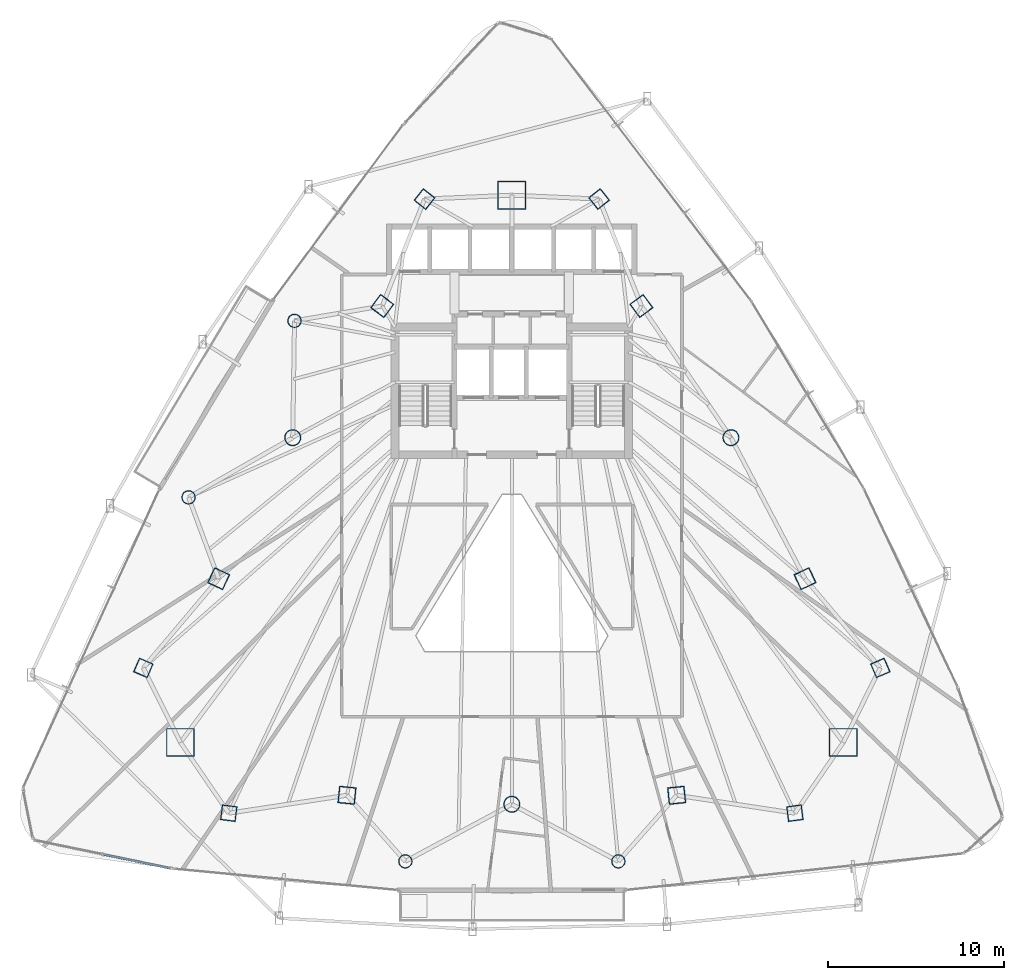
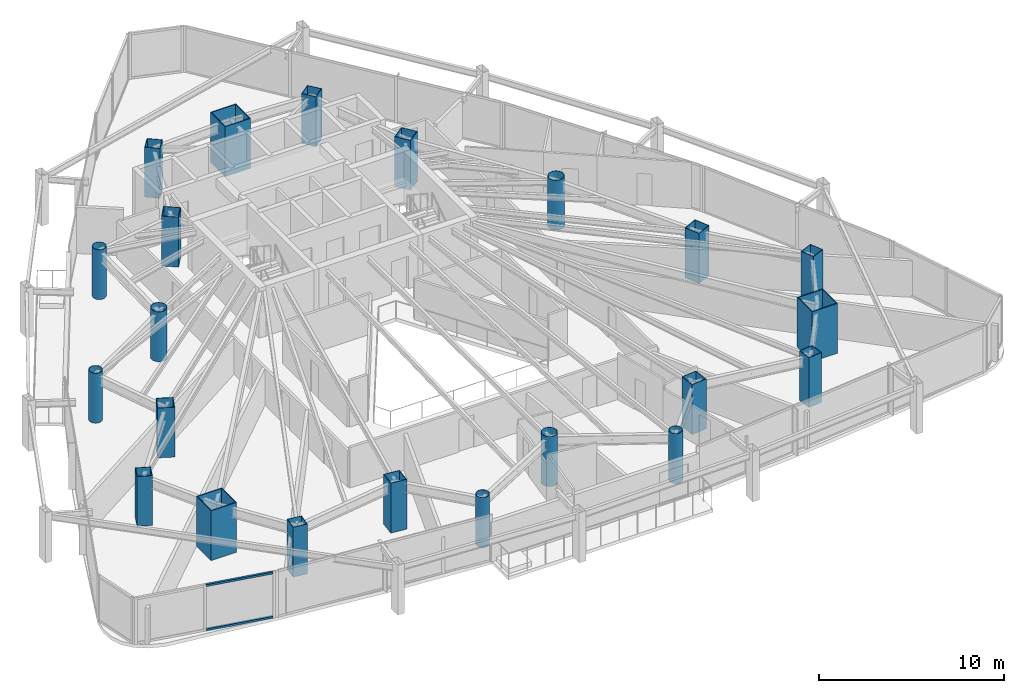
# One storey, part 1 of 34: 22 columns, 2 members, 1 element without a shape of its own.
"""IFC4 building model written with IfcOpenShell, lengths in metres."""

from ifc_helpers import new_model, si_unit, direction, frame, origin, origin_2d, place, context, subcontext, project, spatial, hollow_rectangle, hollow_circle, extrude, material, layer, layer_set, material_profile, profile_set, type_object, element, aggregate, save


model = new_model("IFC4")

# Units and contexts
model_context = context("Model", 3, precision=1e-05, world=origin(), true_north=direction((0.0, 1.0)))
body_context = subcontext(model_context, "Body", "Model", "MODEL_VIEW")
ifc_project = project(units=[si_unit("LENGTHUNIT", "METRE"), si_unit("AREAUNIT", "SQUARE_METRE"), si_unit("VOLUMEUNIT", "CUBIC_METRE"), si_unit("PLANEANGLEUNIT", "RADIAN"), si_unit("MASSUNIT", "GRAM", prefix="KILO")], contexts=[model_context])

# Site, building, storey
site_placement = place(None, origin())
site = spatial("IfcSite", under=ifc_project, at=site_placement, CompositionType="ELEMENT")
building_placement = place(site_placement, origin())
building = spatial("IfcBuilding", under=site, at=building_placement, Name="Orvanel Arch Residences", CompositionType="ELEMENT")
storey_placement = place(building_placement, frame((0.0, 0.0, 67.550048828125)))
storey = spatial("IfcBuildingStorey", under=building, at=storey_placement, Name="L18", CompositionType="ELEMENT", Elevation=67.550048828125)

# Columns
ifc_material_1 = material(Name="Structural steel AS/NZS 1163 C450L0 (Grade 450)", Category="steel")
ifc_material_profile_1 = material_profile(ifc_material_1, hollow_circle(Radius=0.381103515625, WallThickness=0.02197265625, at=origin_2d()), Name="CHS762x22")
ifc_profile_set_1 = profile_set([ifc_material_profile_1], Name="Structural steel AS/NZS 1163 C450L0 (Grade 450)")
column_type_1 = type_object("IfcColumnType", Name="CC-762", PredefinedType="COLUMN", material=ifc_profile_set_1)
for number, where, z_axis, x_axis, name in (
    (1, (20.669921875, 34.27099609375, 0.0), (0.0, 0.0, 1.0), (1.0, 0.0, 0.0), "L18 Low-Rise Buttress Tube Column 01"),
    (2, (14.662109375, 24.256103515625, 0.0), (0.0, 0.0, 1.0), (1.0, 0.0, 0.0), "L18 Low-Rise Buttress Tube Column 02"),
    (3, (26.9580078125, 3.60498046875, 0.0), (0.0, 0.0, 1.0), (1.0, 0.0, 0.0), "L18 Low-Rise Buttress Tube Column 03"),
    (4, (39.0419921875, 3.60498046875, 0.0), (0.0, 0.0, 1.0), (1.0, 0.0, 0.0), "L18 Low-Rise Buttress Tube Column 04"),
):
    element("IfcColumn", number, at=place(storey_placement, frame(where, z_axis=z_axis, x_axis=x_axis)), inside=storey, type_object=column_type_1, Name=name, PredefinedType="COLUMN", context=body_context, shape_type="SweptSolid", body=[
        extrude(hollow_circle(Radius=0.381103515625, WallThickness=0.02197265625, at=origin_2d()), origin(), (0.0, 0.0, 1.0), 3.300048828125),
    ])
ifc_material_profile_2 = material_profile(ifc_material_1, hollow_circle(Radius=0.45703125, WallThickness=0.02490234375, at=origin_2d()), Name="CHS914x25")
ifc_profile_set_2 = profile_set([ifc_material_profile_2], Name="Structural steel AS/NZS 1163 C450L0 (Grade 450)")
column_type_2 = type_object("IfcColumnType", Name="CC-914", PredefinedType="COLUMN", material=ifc_profile_set_2)
for number, where, z_axis, x_axis, name in (
    (5, (20.569091796875, 27.64111328125, 0.0), (0.0, 0.0, 1.0), (1.0, 0.0, 0.0), "L18 High-Rise Tube Column 02"),
    (6, (33.0, 6.843994140625, 0.0), (0.0, 0.0, 1.0), (1.0, 0.0, 0.0), "L18 High-Rise Tube Column 05"),
    (7, (45.430908203125, 27.64111328125, 0.0), (0.0, 0.0, 1.0), (1.0, 0.0, 0.0), "L18 High-Rise Tube Column 08"),
):
    element("IfcColumn", number, at=place(storey_placement, frame(where, z_axis=z_axis, x_axis=x_axis)), inside=storey, type_object=column_type_2, Name=name, PredefinedType="COLUMN", context=body_context, shape_type="SweptSolid", body=[
        extrude(hollow_circle(Radius=0.45703125, WallThickness=0.02490234375, at=origin_2d()), origin(), (0.0, 0.0, 1.0), 3.300048828125),
    ])
ifc_material_2 = material(Name="Structural steel AS/NZS 3678 Grade 450", Category="steel")
ifc_material_profile_3 = material_profile(ifc_material_2, hollow_rectangle(XDim=1.60009765625, YDim=1.60009765625, WallThickness=0.050048828125, at=origin_2d()), Name="BOX1600x1600x50")
ifc_profile_set_3 = profile_set([ifc_material_profile_3], Name="Structural steel AS/NZS 3678 Grade 450")
column_type_3 = type_object("IfcColumnType", Name="MC-1600", PredefinedType="COLUMN", material=ifc_profile_set_3)
for number, where, z_axis, x_axis, name in (
    (8, (33.0, 41.39794921875, 0.0), (0.0, 0.0, 1.0), (1.0, 0.0, 0.0), "L18 Corner Mega-Column 1"),
    (9, (14.198974609375, 10.35107421875, 0.0), (0.0, 0.0, 1.0), (1.0, 0.0, 0.0), "L18 Corner Mega-Column 2"),
    (10, (51.801025390625, 10.35107421875, 0.0), (0.0, 0.0, 1.0), (1.0, 0.0, 0.0), "L18 Corner Mega-Column 3"),
):
    element("IfcColumn", number, at=place(storey_placement, frame(where, z_axis=z_axis, x_axis=x_axis)), inside=storey, type_object=column_type_3, Name=name, PredefinedType="COLUMN", context=body_context, shape_type="SweptSolid", body=[
        extrude(hollow_rectangle(XDim=1.60009765625, YDim=1.60009765625, WallThickness=0.050048828125, at=origin_2d()), origin(), (0.0, 0.0, 1.0), 3.300048828125),
    ])
ifc_material_3 = material(Name="Structural steel AS/NZS 3678 Grade 350", Category="steel")
ifc_material_profile_4 = material_profile(ifc_material_3, hollow_rectangle(XDim=0.85009765625, YDim=0.85009765625, WallThickness=0.028076171875, at=origin_2d()), Name="BOX850x850x28")
ifc_profile_set_4 = profile_set([ifc_material_profile_4], Name="Structural steel AS/NZS 3678 Grade 350")
column_type_4 = type_object("IfcColumnType", Name="TC-850", PredefinedType="COLUMN", material=ifc_profile_set_4)
for number, where, z_axis, x_axis, name in (
    (11, (28.050048828125, 41.177978515625, 0.0), (0.0, 0.0, 1.0), (0.623879596709, 0.781520472419, 0.0), "L18 Mid-Rise Buttress Tube Column 01"),
    (12, (12.094970703125, 14.580078125, 0.0), (0.0, 0.0, 1.0), (0.397147890635, 0.917754625684, 0.0), "L18 Mid-Rise Buttress Tube Column 02"),
    (13, (16.94091796875, 6.339111328125, 0.0), (0.0, 0.0, 1.0), (-0.99189444259, 0.127064608601, 0.0), "L18 Mid-Rise Buttress Tube Column 03"),
    (14, (49.05908203125, 6.339111328125, 0.0), (0.0, 0.0, 1.0), (0.99189444259, 0.127064608601, 0.0), "L18 Mid-Rise Buttress Tube Column 04"),
    (15, (53.905029296875, 14.580078125, 0.0), (0.0, 0.0, 1.0), (-0.397147890635, 0.917754625684, 0.0), "L18 Mid-Rise Buttress Tube Column 05"),
    (16, (37.949951171875, 41.177978515625, 0.0), (0.0, 0.0, 1.0), (-0.623879596709, 0.781520472419, 0.0), "L18 Mid-Rise Buttress Tube Column 06"),
):
    element("IfcColumn", number, at=place(storey_placement, frame(where, z_axis=z_axis, x_axis=x_axis)), inside=storey, type_object=column_type_4, Name=name, PredefinedType="COLUMN", context=body_context, shape_type="SweptSolid", body=[
        extrude(hollow_rectangle(XDim=0.85009765625, YDim=0.85009765625, WallThickness=0.028076171875, at=origin_2d()), origin(), (0.0, 0.0, 1.0), 3.300048828125),
    ])
ifc_material_profile_5 = material_profile(ifc_material_3, hollow_rectangle(XDim=0.949951171875, YDim=0.949951171875, WallThickness=0.031982421875, at=origin_2d()), Name="BOX950x950x32")
ifc_profile_set_5 = profile_set([ifc_material_profile_5], Name="Structural steel AS/NZS 3678 Grade 350")
column_type_5 = type_object("IfcColumnType", Name="TC-950", PredefinedType="COLUMN", material=ifc_profile_set_5)
for number, where, z_axis, x_axis, name in (
    (17, (25.64794921875, 35.113037109375, 0.0), (0.0, 0.0, 1.0), (0.600420225326, 0.799684658487, 0.0), "L18 High-Rise Tube Column 01"),
    (18, (16.366943359375, 19.64208984375, 0.0), (0.0, 0.0, 1.0), (0.422618261741, 0.906307787037, 0.0), "L18 High-Rise Tube Column 03"),
    (19, (23.64892578125, 7.35498046875, 0.0), (0.0, 0.0, 1.0), (-0.994880708829, 0.101056297183, 0.0), "L18 High-Rise Tube Column 04"),
    (20, (42.35107421875, 7.35498046875, 0.0), (0.0, 0.0, 1.0), (0.994880708829, 0.101056297183, 0.0), "L18 High-Rise Tube Column 06"),
    (21, (49.633056640625, 19.64208984375, 0.0), (0.0, 0.0, 1.0), (-0.422618261741, 0.906307787037, 0.0), "L18 High-Rise Tube Column 07"),
    (22, (40.35205078125, 35.113037109375, 0.0), (0.0, 0.0, 1.0), (-0.600420225326, 0.799684658487, 0.0), "L18 High-Rise Tube Column 09"),
):
    element("IfcColumn", number, at=place(storey_placement, frame(where, z_axis=z_axis, x_axis=x_axis)), inside=storey, type_object=column_type_5, Name=name, PredefinedType="COLUMN", context=body_context, shape_type="SweptSolid", body=[
        extrude(hollow_rectangle(XDim=0.949951171875, YDim=0.949951171875, WallThickness=0.031982421875, at=origin_2d()), origin(), (0.0, 0.0, 1.0), 3.300048828125),
    ])

# Curtain wall, members
ifc_material_4 = material(Name="Bronze-anodised aluminium AA6063-T6", Category="aluminium")
ifc_layer = layer(ifc_material_4, 0.18994140625)
ifc_layer_set = layer_set([ifc_layer], Name="Bronze-anodised aluminium AA6063-T6")
curtain_wall_type = type_object("IfcCurtainWallType", Name="CW5-CRN-SYS", PredefinedType="NOTDEFINED", material=ifc_layer_set)
curtain_wall_placement = place(storey_placement, origin())
curtain_wall = element("IfcCurtainWall", 23, at=curtain_wall_placement, inside=storey, type_object=curtain_wall_type, Name="L18 CW5-CRN-SYS Unitised Curtain Wall", PredefinedType="NOTDEFINED")
ifc_material_profile_6 = material_profile(ifc_material_4, hollow_rectangle(XDim=0.1298828125, YDim=0.1298828125, WallThickness=0.00439453125, at=origin_2d()), Name="ALU130x130x4.5")
ifc_profile_set_6 = profile_set([ifc_material_profile_6], Name="Bronze-anodised aluminium AA6063-T6")
member_type = type_object("IfcMemberType", Name="TRN-130x130", PredefinedType="USERDEFINED", material=ifc_profile_set_6)
member_1_placement = place(storey_placement, frame((9.8740234375, 3.99072265625, 0.06494140625), z_axis=(0.979330277509, -0.202267663144, 0.0), x_axis=(0.202267663144, 0.979330277509, 0.0)))
member_1 = element("IfcMember", 24, at=member_1_placement, type_object=member_type, Name="CW-S5 transom 2.1", ObjectType="TRANSOM", PredefinedType="USERDEFINED", context=body_context, shape_type="SweptSolid", body=[
    extrude(hollow_rectangle(XDim=0.1298828125, YDim=0.1298828125, WallThickness=0.00439453125, at=origin_2d()), origin(), (0.0, 0.0, 1.0), 3.798583984375),
])
member_2_placement = place(storey_placement, frame((9.8740234375, 3.99072265625, 2.994873046875), z_axis=(0.979330277509, -0.202267663144, 0.0), x_axis=(0.202267663144, 0.979330277509, 0.0)))
member_2 = element("IfcMember", 25, at=member_2_placement, type_object=member_type, Name="CW-S5 transom 2.2", ObjectType="TRANSOM", PredefinedType="USERDEFINED", context=body_context, shape_type="SweptSolid", body=[
    extrude(hollow_rectangle(XDim=0.1298828125, YDim=0.1298828125, WallThickness=0.00439453125, at=origin_2d()), origin(), (0.0, 0.0, 1.0), 3.798583984375),
])
aggregate(curtain_wall, [member_1, member_2])

save(model, "model.ifc")
